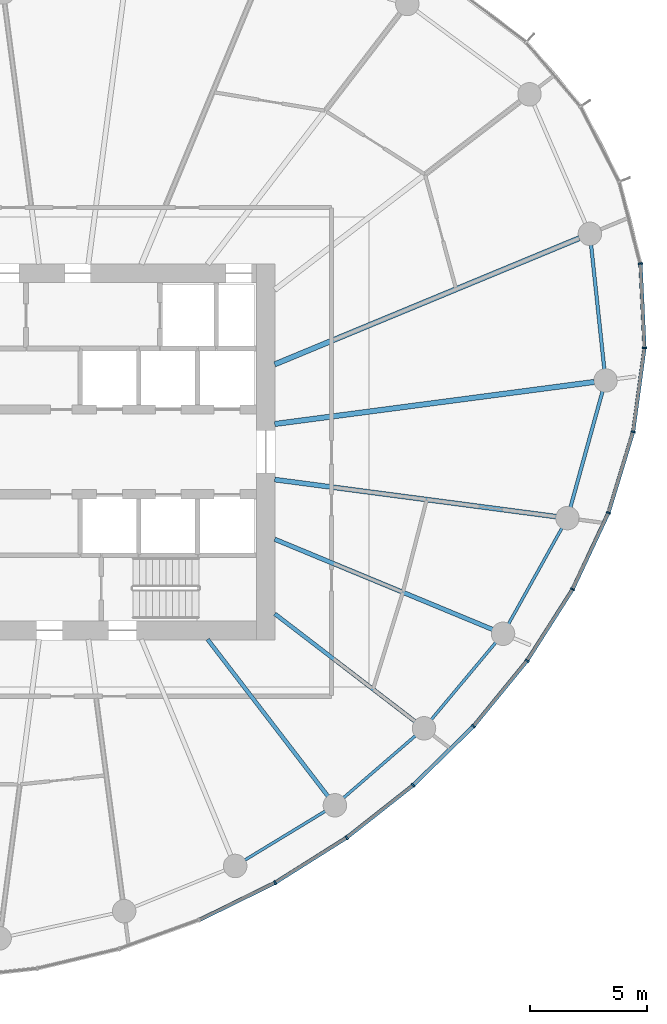
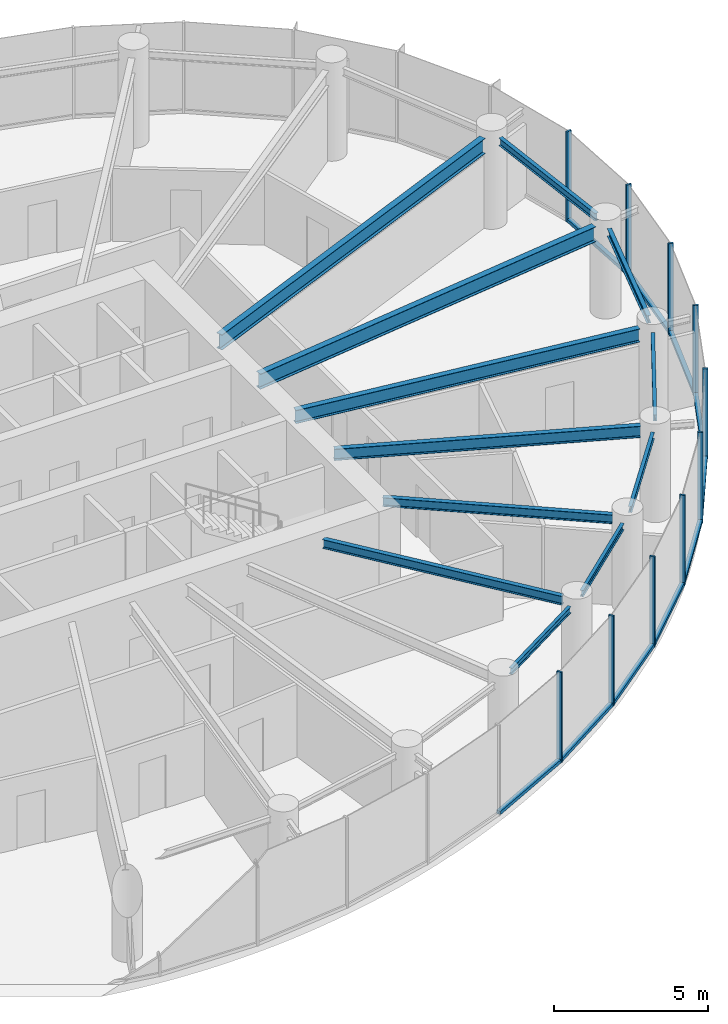
# One storey, part 4 of 14: 20 members, 12 beams, 3 elements without a shape of their own.
"""IFC4 building model written with IfcOpenShell, lengths in metres."""

import ifcopenshell
import ifcopenshell.guid

model = None  # the IFC model being written
_history = None  # IfcOwnerHistory: only IFC2X3 demands one
_inside = {}  # id of a spatial element -> (the spatial element, [elements in it])
_under = {}  # id of a project, library or spatial element -> (it, [spatial elements below it])
_declared = {}  # id of a project -> (the project, [libraries it declares])
_typed = {}  # id of a type object -> (the type object, [elements of that type])
_made_of = {}  # id of a material, layer set ... -> (it, [elements and type objects made of it])


def new_model(schema):
    """Start an empty IFC model of exactly this schema.

    Asked for "IFC4X3", IfcOpenShell would pick the latest addendum, in which some entities
    have other attributes; the version numbers below select the first issue.
    IFC2X3 requires an IfcOwnerHistory on every rooted entity: one is made here for all.
    """
    global model, _history
    if schema == "IFC4X3":
        model = ifcopenshell.file(schema_version=(4, 3, 0, 0))
    else:
        model = ifcopenshell.file(schema=schema)
    _inside.clear()
    _under.clear()
    _declared.clear()
    _typed.clear()
    _made_of.clear()
    _history = None
    if model.schema == "IFC2X3":
        org = make("IfcOrganization", Name="unknown")
        user = make(
            "IfcPersonAndOrganization",
            ThePerson=make("IfcPerson", FamilyName="unknown"),
            TheOrganization=org,
        )
        app = make(
            "IfcApplication",
            ApplicationDeveloper=org,
            Version="unknown",
            ApplicationFullName="unknown",
            ApplicationIdentifier="unknown",
        )
        _history = make(
            "IfcOwnerHistory",
            OwningUser=user,
            OwningApplication=app,
            ChangeAction="ADDED",
            CreationDate=0,
        )
    return model


def make(cls, **values):
    """One entity of the class cls with the attributes given. An attribute that is None is left unset."""
    return model.create_entity(
        cls, **{name: value for name, value in values.items() if value is not None}
    )


def rooted(cls, **values):
    """An entity with a GlobalId (a new one), such as an element, a storey or a relation."""
    return make(cls, GlobalId=ifcopenshell.guid.new(), OwnerHistory=_history, **values)


def si_unit(unit_type, name, prefix=None):
    """IfcSIUnit, for example si_unit("LENGTHUNIT", "METRE", prefix="MILLI")."""
    return make("IfcSIUnit", UnitType=unit_type, Prefix=prefix, Name=name)


def assignment(units):
    """IfcUnitAssignment: the units of a project."""
    return None if units is None else make("IfcUnitAssignment", Units=units)


def point(xyz):
    """IfcCartesianPoint."""
    return None if xyz is None else make("IfcCartesianPoint", Coordinates=xyz)


def direction(xyz):
    """IfcDirection."""
    return None if xyz is None else make("IfcDirection", DirectionRatios=xyz)


def frame(location, z_axis=None, x_axis=None):
    """IfcAxis2Placement3D, a coordinate frame: its origin and axes. An axis left out is left unset."""
    return make(
        "IfcAxis2Placement3D",
        Location=point(location),
        Axis=direction(z_axis),
        RefDirection=direction(x_axis),
    )


def frame_2d(location, x_axis=None):
    """IfcAxis2Placement2D, a coordinate frame in the plane: its origin and x axis."""
    return make(
        "IfcAxis2Placement2D", Location=point(location), RefDirection=direction(x_axis)
    )


def origin():
    """The frame at (0, 0, 0) with its axes left unset."""
    return frame((0.0, 0.0, 0.0))


def origin_2d():
    """The frame at (0, 0) in the plane with its x axis left unset."""
    return frame_2d((0.0, 0.0))


def place(relative_to, where):
    """IfcLocalPlacement: puts the frame where relative to a parent placement (None: the world)."""
    return make(
        "IfcLocalPlacement", PlacementRelTo=relative_to, RelativePlacement=where
    )


def context(
    kind, dimensions, precision=None, world=None, true_north=None, identifier=None
):
    """IfcGeometricRepresentationContext, for example the 3D "Model" context."""
    return make(
        "IfcGeometricRepresentationContext",
        ContextIdentifier=identifier,
        ContextType=kind,
        CoordinateSpaceDimension=dimensions,
        Precision=precision,
        WorldCoordinateSystem=world,
        TrueNorth=true_north,
    )


def subcontext(parent, identifier, kind, view, scale=None):
    """IfcGeometricRepresentationSubContext, for example "Body" below "Model"."""
    return make(
        "IfcGeometricRepresentationSubContext",
        ContextIdentifier=identifier,
        ContextType=kind,
        ParentContext=parent,
        TargetScale=scale,
        TargetView=view,
    )


def project(units=None, contexts=None):
    """IfcProject with its units and contexts."""
    return rooted(
        "IfcProject",
        Name="project",
        RepresentationContexts=contexts,
        UnitsInContext=assignment(units),
    )


def spatial(cls, under=None, at=None, **own):
    """A site, building, storey or space (cls), placed at a placement, below another one or the project."""
    s = rooted(cls, ObjectPlacement=at, **own)
    if under is not None:
        _under.setdefault(under.id(), (under, []))[1].append(s)
    return s


def profile(cls, at=None, kind="AREA", **sizes):
    """A parametric profile (cls). Its sizes go by their IFC names, for example OverallWidth=200.0."""
    return make(cls, ProfileType=kind, Position=at, **sizes)


def rectangle(**sizes):
    """IfcRectangleProfileDef."""
    return profile("IfcRectangleProfileDef", **sizes)


def i_section(**sizes):
    """IfcIShapeProfileDef."""
    return profile("IfcIShapeProfileDef", **sizes)


def extrude(swept, where, along, depth):
    """IfcExtrudedAreaSolid: the profile swept, set in the frame where, extruded along a direction by depth."""
    return make(
        "IfcExtrudedAreaSolid",
        SweptArea=swept,
        Position=where,
        ExtrudedDirection=direction(along),
        Depth=depth,
    )


def shape(context_of_items, identifier, shape_type, items):
    """IfcShapeRepresentation: the items that make up one representation, for example the "Body"."""
    return make(
        "IfcShapeRepresentation",
        ContextOfItems=context_of_items,
        RepresentationIdentifier=identifier,
        RepresentationType=shape_type,
        Items=items,
    )


def source(mapping_origin, context_of_items, identifier, shape_type, items):
    """IfcRepresentationMap: a shape defined once, which mapped items show again and again."""
    return make(
        "IfcRepresentationMap",
        MappingOrigin=mapping_origin,
        MappedRepresentation=shape(context_of_items, identifier, shape_type, items),
    )


def transform(
    local_origin,
    x_axis=None,
    y_axis=None,
    z_axis=None,
    scale=None,
    scale2=None,
    scale3=None,
    uniform=True,
):
    """IfcCartesianTransformationOperator3D, or its non-uniform kind. x_axis, y_axis, z_axis: its Axis1, 2, 3."""
    if uniform:
        return make(
            "IfcCartesianTransformationOperator3D",
            Axis1=direction(x_axis),
            Axis2=direction(y_axis),
            LocalOrigin=point(local_origin),
            Scale=scale,
            Axis3=direction(z_axis),
        )
    return make(
        "IfcCartesianTransformationOperator3DnonUniform",
        Axis1=direction(x_axis),
        Axis2=direction(y_axis),
        LocalOrigin=point(local_origin),
        Scale=scale,
        Axis3=direction(z_axis),
        Scale2=scale2,
        Scale3=scale3,
    )


def mapped(mapping_source, mapping_target):
    """IfcMappedItem: shows the shape of a source again, moved by a transform."""
    return make(
        "IfcMappedItem", MappingSource=mapping_source, MappingTarget=mapping_target
    )


def material(Name=None, Category=None):
    """IfcMaterial."""
    return make("IfcMaterial", Name=Name, Category=Category)


def layer(
    of_material, thickness, ventilated=None, Name=None, Category=None, Priority=None
):
    """IfcMaterialLayer: one layer of a wall or slab, of a material (None: an air gap)."""
    return make(
        "IfcMaterialLayer",
        Material=of_material,
        LayerThickness=thickness,
        IsVentilated=ventilated,
        Name=Name,
        Category=Category,
        Priority=Priority,
    )


def layer_set(layers, Name=None):
    """IfcMaterialLayerSet."""
    return make("IfcMaterialLayerSet", MaterialLayers=layers, LayerSetName=Name)


def material_profile(
    of_material, cross_section, Name=None, Category=None, Priority=None
):
    """IfcMaterialProfile: a cross section and its material."""
    return make(
        "IfcMaterialProfile",
        Name=Name,
        Material=of_material,
        Profile=cross_section,
        Priority=Priority,
        Category=Category,
    )


def profile_set(profiles, Name=None, composite=None):
    """IfcMaterialProfileSet."""
    return make(
        "IfcMaterialProfileSet",
        Name=Name,
        MaterialProfiles=profiles,
        CompositeProfile=composite,
    )


def made_of(thing, what):
    """Note that an element or type object is made of a material, layer set ...; save() writes the relation."""
    if what is not None:
        _made_of.setdefault(what.id(), (what, []))[1].append(thing)
    return thing


def type_object(cls, material=None, **own):
    """A type object (cls), such as IfcWallType, which elements share."""
    return made_of(rooted(cls, **own), material)


def element(
    cls,
    number,
    at=None,
    inside=None,
    cuts=None,
    type_object=None,
    material=None,
    context=None,
    identifier="Body",
    shape_type=None,
    held_by="IfcProductDefinitionShape",
    body=None,
    shapes=None,
    **own,
):
    """One element of the class cls, such as IfcWall. Its Tag is "e" and its number.

    at: its placement. inside: the storey or other place that contains it. cuts: it is an
    opening in that element (IfcRelVoidsElement). A single representation is given by context,
    identifier, shape_type and body (its items); several are given by shapes. held_by: the class
    of the entity that holds the representations. save() writes the other relations.
    """
    e = rooted(cls, Tag="e%d" % number, ObjectPlacement=at, **own)
    if body is not None:
        shapes = [shape(context, identifier, shape_type, body)]
    if shapes is not None:
        e.Representation = make(held_by, Representations=shapes)
    if inside is not None:
        _inside.setdefault(inside.id(), (inside, []))[1].append(e)
    if cuts is not None:
        rooted(
            "IfcRelVoidsElement", RelatingBuildingElement=cuts, RelatedOpeningElement=e
        )
    if type_object is not None:
        _typed.setdefault(type_object.id(), (type_object, []))[1].append(e)
    return made_of(e, material)


def aggregate(whole, parts):
    """IfcRelAggregates: a whole, such as a stair, and the parts it consists of."""
    return rooted("IfcRelAggregates", RelatingObject=whole, RelatedObjects=parts)


def save(model, path):
    """Write the relations noted so far, then the file.

    IfcRelAggregates (storeys below a building ...), IfcRelContainedInSpatialStructure (elements
    in a storey), IfcRelDefinesByType, IfcRelAssociatesMaterial and IfcRelDeclares: one each for
    every whole, place, type object, material and project.
    """
    for whole, parts in _under.values():
        aggregate(whole, parts)
    for where, things in _inside.values():
        rooted(
            "IfcRelContainedInSpatialStructure",
            RelatedElements=things,
            RelatingStructure=where,
        )
    for kind, things in _typed.values():
        rooted("IfcRelDefinesByType", RelatedObjects=things, RelatingType=kind)
    for what, things in _made_of.values():
        rooted("IfcRelAssociatesMaterial", RelatedObjects=things, RelatingMaterial=what)
    for by, libraries in _declared.values():
        rooted("IfcRelDeclares", RelatingContext=by, RelatedDefinitions=libraries)
    model.write(path)


model = new_model("IFC4")

# Units and contexts
model_context = context("Model", 3, precision=1e-05, world=origin(), true_north=direction((0.0, 1.0)))
body_context = subcontext(model_context, "Body", "Model", "MODEL_VIEW")
ifc_project = project(units=[si_unit("LENGTHUNIT", "METRE"), si_unit("AREAUNIT", "SQUARE_METRE"), si_unit("VOLUMEUNIT", "CUBIC_METRE"), si_unit("PLANEANGLEUNIT", "RADIAN"), si_unit("MASSUNIT", "GRAM", prefix="KILO")], contexts=[model_context])

# Site, building, storey
site_placement = place(None, origin())
site = spatial("IfcSite", under=ifc_project, at=site_placement, CompositionType="ELEMENT")
building_placement = place(site_placement, origin())
building = spatial("IfcBuilding", under=site, at=building_placement, Name="Spindrift Exchange Tower", CompositionType="ELEMENT")
storey_placement = place(building_placement, frame((0.0, 0.0, 140.89990234375)))
storey = spatial("IfcBuildingStorey", under=building, at=storey_placement, Name="L33", CompositionType="ELEMENT", Elevation=140.89990234375)

# Beams
ifc_material_1 = material(Name="Steel Grade 300", Category="steel")
ifc_material_profile_1 = material_profile(ifc_material_1, i_section(OverallWidth=0.14892578125, OverallDepth=0.298095703125, WebThickness=0.005615234375, FlangeThickness=0.008056640625, FilletRadius=0.012939453125, at=origin_2d()), Name="310UB32.0")
ifc_profile_set_1 = profile_set([ifc_material_profile_1], Name="Steel Grade 300")
beam_type_1 = type_object("IfcBeamType", Name="Edge Beam 310UB32.0 Steel Grade 300", PredefinedType="SPANDREL", material=ifc_profile_set_1)
shared_shape_1 = source(origin(), body_context, "Body", "SweptSolid", [
    extrude(i_section(OverallWidth=0.14892578125, OverallDepth=0.298095703125, WebThickness=0.005615234375, FlangeThickness=0.008056640625, FilletRadius=0.012939453125, at=origin_2d()), origin(), (0.0, 0.0, 1.0), 5.31640625),
])
beam_1_placement = place(storey_placement, frame((75.010986328125, 51.513427734375, 3.43115234375), z_axis=(-0.10598990948, 0.994367205357, 0.0), x_axis=(-0.994367205357, -0.10598990948, 0.0)))
element("IfcBeam", 1, at=beam_1_placement, inside=storey, type_object=beam_type_1, Name="L33 edge beam E01", PredefinedType="SPANDREL", context=body_context, shape_type="MappedRepresentation", body=[
    mapped(shared_shape_1, transform((0.0, 0.0, 0.0), scale=1.0)),
])
ifc_material_profile_2 = material_profile(ifc_material_1, i_section(OverallWidth=0.1240234375, OverallDepth=0.248046875, WebThickness=0.0048828125, FlangeThickness=0.008056640625, FilletRadius=0.011962890625, at=origin_2d()), Name="250UB25.7")
ifc_profile_set_2 = profile_set([ifc_material_profile_2], Name="Steel Grade 300")
beam_type_2 = type_object("IfcBeamType", Name="Edge Beam 250UB25.7 Steel Grade 300", PredefinedType="SPANDREL", material=ifc_profile_set_2)
shared_shape_2 = source(origin(), body_context, "Body", "SweptSolid", [
    extrude(i_section(OverallWidth=0.1240234375, OverallDepth=0.248046875, WebThickness=0.0048828125, FlangeThickness=0.008056640625, FilletRadius=0.011962890625, at=origin_2d()), origin(), (0.0, 0.0, 1.0), 4.00634765625),
])
beam_2_placement = place(storey_placement, frame((59.7109375, 30.623779296875, 3.4560546875), z_axis=(0.854331495603, 0.519728482596, 0.0), x_axis=(-0.519728482596, 0.854331495603, 0.0)))
element("IfcBeam", 2, at=beam_2_placement, inside=storey, type_object=beam_type_2, Name="L33 edge beam E20", PredefinedType="SPANDREL", context=body_context, shape_type="MappedRepresentation", body=[
    mapped(shared_shape_2, transform((0.0, 0.0, 0.0), scale=1.0)),
])
shared_shape_3 = source(origin(), body_context, "Body", "SweptSolid", [
    extrude(i_section(OverallWidth=0.1240234375, OverallDepth=0.248046875, WebThickness=0.0048828125, FlangeThickness=0.008056640625, FilletRadius=0.011962890625, at=origin_2d()), origin(), (0.0, 0.0, 1.0), 4.052001953125),
])
beam_3_placement = place(storey_placement, frame((63.906982421875, 33.269287109375, 3.4560546875), z_axis=(0.756715968535, 0.65374379, 0.0), x_axis=(-0.65374379, 0.756715968535, 0.0)))
element("IfcBeam", 3, at=beam_3_placement, inside=storey, type_object=beam_type_2, Name="L33 edge beam E21", PredefinedType="SPANDREL", context=body_context, shape_type="MappedRepresentation", body=[
    mapped(shared_shape_3, transform((0.0, 0.0, 0.0), scale=1.0)),
])
shared_shape_4 = source(origin(), body_context, "Body", "SweptSolid", [
    extrude(i_section(OverallWidth=0.1240234375, OverallDepth=0.248046875, WebThickness=0.0048828125, FlangeThickness=0.008056640625, FilletRadius=0.011962890625, at=origin_2d()), origin(), (0.0, 0.0, 1.0), 4.282958984375),
])
beam_4_placement = place(storey_placement, frame((67.644287109375, 36.600341796875, 3.4560546875), z_axis=(0.641400288548, 0.767206406289, 0.0), x_axis=(-0.767206406289, 0.641400288548, 0.0)))
element("IfcBeam", 4, at=beam_4_placement, inside=storey, type_object=beam_type_2, Name="L33 edge beam E22", PredefinedType="SPANDREL", context=body_context, shape_type="MappedRepresentation", body=[
    mapped(shared_shape_4, transform((0.0, 0.0, 0.0), scale=1.0)),
])
shared_shape_5 = source(origin(), body_context, "Body", "SweptSolid", [
    extrude(i_section(OverallWidth=0.1240234375, OverallDepth=0.248046875, WebThickness=0.0048828125, FlangeThickness=0.008056640625, FilletRadius=0.011962890625, at=origin_2d()), origin(), (0.0, 0.0, 1.0), 4.6748046875),
])
beam_5_placement = place(storey_placement, frame((70.932861328125, 40.673828125, 3.4560546875), z_axis=(0.486587145143, 0.873632045075, 0.0), x_axis=(-0.873632045075, 0.486587145143, 0.0)))
element("IfcBeam", 5, at=beam_5_placement, inside=storey, type_object=beam_type_2, Name="L33 edge beam E23", PredefinedType="SPANDREL", context=body_context, shape_type="MappedRepresentation", body=[
    mapped(shared_shape_5, transform((0.0, 0.0, 0.0), scale=1.0)),
])
shared_shape_6 = source(origin(), body_context, "Body", "SweptSolid", [
    extrude(i_section(OverallWidth=0.14892578125, OverallDepth=0.298095703125, WebThickness=0.005615234375, FlangeThickness=0.008056640625, FilletRadius=0.012939453125, at=origin_2d()), origin(), (0.0, 0.0, 1.0), 5.118896484375),
])
beam_6_placement = place(storey_placement, frame((73.569091796875, 45.639892578125, 3.43115234375), z_axis=(0.266654866605, 0.963792084485, 0.0), x_axis=(-0.963792084485, 0.266654866605, 0.0)))
element("IfcBeam", 6, at=beam_6_placement, inside=storey, type_object=beam_type_1, Name="L33 edge beam E24", PredefinedType="SPANDREL", context=body_context, shape_type="MappedRepresentation", body=[
    mapped(shared_shape_6, transform((0.0, 0.0, 0.0), scale=1.0)),
])
ifc_material_profile_3 = material_profile(ifc_material_1, i_section(OverallWidth=0.22802734375, OverallDepth=0.60205078125, WebThickness=0.010498046875, FlangeThickness=0.014892578125, FilletRadius=0.013916015625, at=origin_2d()), Name="610UB101")
ifc_profile_set_3 = profile_set([ifc_material_profile_3], Name="Steel Grade 300")
beam_type_3 = type_object("IfcBeamType", Name="Floor Beam 610UB101 Steel Grade 300", PredefinedType="BEAM", material=ifc_profile_set_3)
shared_shape_7 = source(origin(), body_context, "Body", "SweptSolid", [
    extrude(i_section(OverallWidth=0.22802734375, OverallDepth=0.60205078125, WebThickness=0.010498046875, FlangeThickness=0.014892578125, FilletRadius=0.013916015625, at=origin_2d()), origin(), (0.0, 0.0, 1.0), 13.723388671875),
])
beam_7_placement = place(storey_placement, frame((60.980224609375, 49.182373046875, 3.279052734375), z_axis=(0.991447148915, 0.13050881544, 0.0), x_axis=(-0.13050881544, 0.991447148915, 0.0)))
element("IfcBeam", 7, at=beam_7_placement, inside=storey, type_object=beam_type_3, Name="L33 radial beam R01A", PredefinedType="BEAM", context=body_context, shape_type="MappedRepresentation", body=[
    mapped(shared_shape_7, transform((0.0, 0.0, 0.0), scale=1.0)),
])
shared_shape_8 = source(origin(), body_context, "Body", "SweptSolid", [
    extrude(i_section(OverallWidth=0.22802734375, OverallDepth=0.60205078125, WebThickness=0.010498046875, FlangeThickness=0.014892578125, FilletRadius=0.013916015625, at=origin_2d()), origin(), (0.0, 0.0, 1.0), 14.04052734375),
])
beam_8_placement = place(storey_placement, frame((60.9814453125, 51.72021484375, 3.279052734375), z_axis=(0.923879501748, 0.382683506634, 0.0), x_axis=(-0.382683506634, 0.923879501748, 0.0)))
element("IfcBeam", 8, at=beam_8_placement, inside=storey, type_object=beam_type_3, Name="L33 radial beam R02A", PredefinedType="BEAM", context=body_context, shape_type="MappedRepresentation", body=[
    mapped(shared_shape_8, transform((0.0, 0.0, 0.0), scale=1.0)),
])
ifc_material_profile_4 = material_profile(ifc_material_1, i_section(OverallWidth=0.1708984375, OverallDepth=0.35205078125, WebThickness=0.0068359375, FlangeThickness=0.009765625, FilletRadius=0.013916015625, at=origin_2d()), Name="360UB44.7")
ifc_profile_set_4 = profile_set([ifc_material_profile_4], Name="Steel Grade 300")
beam_type_4 = type_object("IfcBeamType", Name="Floor Beam 360UB44.7 Steel Grade 300", PredefinedType="BEAM", material=ifc_profile_set_4)
shared_shape_9 = source(origin(), body_context, "Body", "SweptSolid", [
    extrude(i_section(OverallWidth=0.1708984375, OverallDepth=0.35205078125, WebThickness=0.0068359375, FlangeThickness=0.009765625, FilletRadius=0.013916015625, at=origin_2d()), origin(), (0.0, 0.0, 1.0), 8.419189453125),
])
beam_9_placement = place(storey_placement, frame((58.12646484375, 40.015869140625, 3.404052734375), z_axis=(0.608755970582, -0.79335752866, 0.0), x_axis=(0.79335752866, 0.608755970582, 0.0)))
element("IfcBeam", 9, at=beam_9_placement, inside=storey, type_object=beam_type_4, Name="L33 radial beam R21A", PredefinedType="BEAM", context=body_context, shape_type="MappedRepresentation", body=[
    mapped(shared_shape_9, transform((0.0, 0.0, 0.0), scale=1.0)),
])
shared_shape_10 = source(origin(), body_context, "Body", "SweptSolid", [
    extrude(i_section(OverallWidth=0.1708984375, OverallDepth=0.35205078125, WebThickness=0.0068359375, FlangeThickness=0.009765625, FilletRadius=0.013916015625, at=origin_2d()), origin(), (0.0, 0.0, 1.0), 7.52685546875),
])
beam_10_placement = place(storey_placement, frame((60.984130859375, 41.106201171875, 3.404052734375), z_axis=(0.793354136078, -0.608760391918, 0.0), x_axis=(0.608760391918, 0.793354136078, 0.0)))
element("IfcBeam", 10, at=beam_10_placement, inside=storey, type_object=beam_type_4, Name="L33 radial beam R22A", PredefinedType="BEAM", context=body_context, shape_type="MappedRepresentation", body=[
    mapped(shared_shape_10, transform((0.0, 0.0, 0.0), scale=1.0)),
])
ifc_material_profile_5 = material_profile(ifc_material_1, i_section(OverallWidth=0.18994140625, OverallDepth=0.4541015625, WebThickness=0.008544921875, FlangeThickness=0.0126953125, FilletRadius=0.013916015625, at=origin_2d()), Name="460UB67.1")
ifc_profile_set_5 = profile_set([ifc_material_profile_5], Name="Steel Grade 300")
beam_type_5 = type_object("IfcBeamType", Name="Floor Beam 460UB67.1 Steel Grade 300", PredefinedType="BEAM", material=ifc_profile_set_5)
shared_shape_11 = source(origin(), body_context, "Body", "SweptSolid", [
    extrude(i_section(OverallWidth=0.18994140625, OverallDepth=0.4541015625, WebThickness=0.008544921875, FlangeThickness=0.0126953125, FilletRadius=0.013916015625, at=origin_2d()), origin(), (0.0, 0.0, 1.0), 10.03857421875),
])
beam_11_placement = place(storey_placement, frame((60.9814453125, 44.27978515625, 3.35302734375), z_axis=(0.923880777638, -0.382680426349, 0.0), x_axis=(0.382680426349, 0.923880777638, 0.0)))
element("IfcBeam", 11, at=beam_11_placement, inside=storey, type_object=beam_type_5, Name="L33 radial beam R23A", PredefinedType="BEAM", context=body_context, shape_type="MappedRepresentation", body=[
    mapped(shared_shape_11, transform((0.0, 0.0, 0.0), scale=1.0)),
])
ifc_material_profile_6 = material_profile(ifc_material_1, i_section(OverallWidth=0.208984375, OverallDepth=0.528076171875, WebThickness=0.009521484375, FlangeThickness=0.01318359375, FilletRadius=0.013916015625, at=origin_2d()), Name="530UB82.0")
ifc_profile_set_6 = profile_set([ifc_material_profile_6], Name="Steel Grade 300")
beam_type_6 = type_object("IfcBeamType", Name="Floor Beam 530UB82.0 Steel Grade 300", PredefinedType="BEAM", material=ifc_profile_set_6)
shared_shape_12 = source(origin(), body_context, "Body", "SweptSolid", [
    extrude(i_section(OverallWidth=0.208984375, OverallDepth=0.528076171875, WebThickness=0.009521484375, FlangeThickness=0.01318359375, FilletRadius=0.013916015625, at=origin_2d()), origin(), (0.0, 0.0, 1.0), 12.088134765625),
])
beam_12_placement = place(storey_placement, frame((60.980224609375, 46.817626953125, 3.316162109375), z_axis=(0.991447007302, -0.130509891244, 0.0), x_axis=(0.130509891244, 0.991447007302, 0.0)))
element("IfcBeam", 12, at=beam_12_placement, inside=storey, type_object=beam_type_6, Name="L33 radial beam R24A", PredefinedType="BEAM", context=body_context, shape_type="MappedRepresentation", body=[
    mapped(shared_shape_12, transform((0.0, 0.0, 0.0), scale=1.0)),
])

# Curtain wall, member
ifc_material_2 = material(Name="Fritted laminated glass with bronze frame", Category="glass")
ifc_layer = layer(ifc_material_2, 0.179931640625)
ifc_layer_set = layer_set([ifc_layer], Name="ZONE 3 BRONZE FRITTED WALL")
curtain_wall_type = type_object("IfcCurtainWallType", Name="ZONE 3 BRONZE FRITTED WALL", PredefinedType="NOTDEFINED", material=ifc_layer_set)
curtain_wall_1_placement = place(storey_placement, origin())
curtain_wall_1 = element("IfcCurtainWall", 13, at=curtain_wall_1_placement, inside=storey, type_object=curtain_wall_type, Name="L33 Zone 3 Bronze Fritted Wall run 5", PredefinedType="NOTDEFINED")
ifc_material_3 = material(Name="Bronze anodised aluminium", Category="aluminium")
ifc_material_profile_7 = material_profile(ifc_material_3, rectangle(XDim=0.159912109375, YDim=0.1298828125, at=origin_2d()), Name="ZONE 3 BRONZE FRITTED WALL TRANSOM 160X130")
ifc_profile_set_7 = profile_set([ifc_material_profile_7], Name="Bronze anodised aluminium")
member_type_1 = type_object("IfcMemberType", Name="ZONE 3 BRONZE FRITTED WALL TRANSOM 160X130", PredefinedType="USERDEFINED", material=ifc_profile_set_7)
shared_shape_13 = source(origin(), body_context, "Body", "SweptSolid", [
    extrude(rectangle(XDim=0.159912109375, YDim=0.1298828125, at=origin_2d()), origin(), (0.0, 0.0, 1.0), 3.53076171875),
])
member_1_placement = place(storey_placement, frame((57.796875, 28.08740234375, 0.065185546875), z_axis=(0.897462613578, 0.441090531783, 0.0), x_axis=(-0.441090531783, 0.897462613578, 0.0)))
member_1 = element("IfcMember", 14, at=member_1_placement, type_object=member_type_1, Name="L33 transom CW-3.30", ObjectType="TRANSOM", PredefinedType="USERDEFINED", context=body_context, shape_type="MappedRepresentation", body=[
    mapped(shared_shape_13, transform((0.0, 0.0, 0.0), scale=1.0)),
])
aggregate(curtain_wall_1, [member_1])

# Curtain wall, members
curtain_wall_2_placement = place(storey_placement, origin())
curtain_wall_2 = element("IfcCurtainWall", 15, at=curtain_wall_2_placement, inside=storey, type_object=curtain_wall_type, Name="L33 Zone 3 Bronze Fritted Wall run 6", PredefinedType="NOTDEFINED")
member_2_placement = place(storey_placement, frame((64.071044921875, 31.601806640625, 0.065185546875), z_axis=(0.785441758405, 0.618935573508, 0.0), x_axis=(-0.618935573508, 0.785441758405, 0.0)))
member_2 = element("IfcMember", 16, at=member_2_placement, type_object=member_type_1, Name="L33 transom CW-3.32", ObjectType="TRANSOM", PredefinedType="USERDEFINED", context=body_context, shape_type="MappedRepresentation", body=[
    mapped(shared_shape_13, transform((0.0, 0.0, 0.0), scale=1.0)),
])
shared_shape_14 = source(origin(), body_context, "Body", "SweptSolid", [
    extrude(rectangle(XDim=0.159912109375, YDim=0.1298828125, at=origin_2d()), origin(), (0.0, 0.0, 1.0), 3.531005859375),
])
member_3_placement = place(storey_placement, frame((66.896728515625, 33.833251953125, 0.065185546875), z_axis=(0.715013581589, 0.699110562174, 0.0), x_axis=(-0.699110562174, 0.715013581589, 0.0)))
member_3 = element("IfcMember", 17, at=member_3_placement, type_object=member_type_1, Name="L33 transom CW-3.33", ObjectType="TRANSOM", PredefinedType="USERDEFINED", context=body_context, shape_type="MappedRepresentation", body=[
    mapped(shared_shape_14, transform((0.0, 0.0, 0.0), scale=1.0)),
])
shared_shape_15 = source(origin(), body_context, "Body", "SweptSolid", [
    extrude(rectangle(XDim=0.159912109375, YDim=0.1298828125, at=origin_2d()), origin(), (0.0, 0.0, 1.0), 3.5302734375),
])
member_4_placement = place(storey_placement, frame((69.468505859375, 36.353515625, 0.065185546875), z_axis=(0.633041945843, 0.774117494185, 0.0), x_axis=(-0.774117494185, 0.633041945843, 0.0)))
member_4 = element("IfcMember", 18, at=member_4_placement, type_object=member_type_1, Name="L33 transom CW-3.34", ObjectType="TRANSOM", PredefinedType="USERDEFINED", context=body_context, shape_type="MappedRepresentation", body=[
    mapped(shared_shape_15, transform((0.0, 0.0, 0.0), scale=1.0)),
])
shared_shape_16 = source(origin(), body_context, "Body", "SweptSolid", [
    extrude(rectangle(XDim=0.159912109375, YDim=0.1298828125, at=origin_2d()), origin(), (0.0, 0.0, 1.0), 3.530517578125),
])
member_5_placement = place(storey_placement, frame((71.744384765625, 39.14306640625, 0.065185546875), z_axis=(0.537184206175, 0.843464954006, 0.0), x_axis=(-0.843464954006, 0.537184206175, 0.0)))
member_5 = element("IfcMember", 19, at=member_5_placement, type_object=member_type_1, Name="L33 transom CW-3.35", ObjectType="TRANSOM", PredefinedType="USERDEFINED", context=body_context, shape_type="MappedRepresentation", body=[
    mapped(shared_shape_16, transform((0.0, 0.0, 0.0), scale=1.0)),
])
ifc_material_profile_8 = material_profile(ifc_material_3, rectangle(XDim=0.070068359375, YDim=0.179931640625, at=origin_2d()), Name="ZONE 3 BRONZE FRITTED WALL MULLION 70X180")
ifc_profile_set_8 = profile_set([ifc_material_profile_8], Name="Bronze anodised aluminium")
member_type_2 = type_object("IfcMemberType", Name="ZONE 3 BRONZE FRITTED WALL MULLION 70X180", PredefinedType="MULLION", material=ifc_profile_set_8)
shared_shape_17 = source(origin(), body_context, "Body", "SweptSolid", [
    extrude(rectangle(XDim=0.070068359375, YDim=0.179931640625, at=origin_2d()), origin(), (0.0, 0.0, 1.0), 3.580078125),
])
member_6_placement = place(storey_placement, frame((60.9970703125, 29.66015625, 0.0), z_axis=(0.0, 0.0, 1.0), x_axis=(0.872949718543, 0.487810197614, 0.0)))
member_6 = element("IfcMember", 20, at=member_6_placement, type_object=member_type_2, Name="L33 mullion CW-3.31", PredefinedType="MULLION", context=body_context, shape_type="MappedRepresentation", body=[
    mapped(shared_shape_17, transform((0.0, 0.0, 0.0), scale=1.0)),
])
member_7_placement = place(storey_placement, frame((64.04345703125, 31.580078125, 0.0), z_axis=(0.0, 0.0, 1.0), x_axis=(0.816841172004, 0.576862635051, 0.0)))
member_7 = element("IfcMember", 21, at=member_7_placement, type_object=member_type_2, Name="L33 mullion CW-3.32", PredefinedType="MULLION", context=body_context, shape_type="MappedRepresentation", body=[
    mapped(shared_shape_17, transform((0.0, 0.0, 0.0), scale=1.0)),
])
member_8_placement = place(storey_placement, frame((66.87158203125, 33.808837890625, 0.0), z_axis=(0.0, 0.0, 1.0), x_axis=(0.751283523222, 0.659979596454, 0.0)))
member_8 = element("IfcMember", 22, at=member_8_placement, type_object=member_type_2, Name="L33 mullion CW-3.33", PredefinedType="MULLION", context=body_context, shape_type="MappedRepresentation", body=[
    mapped(shared_shape_17, transform((0.0, 0.0, 0.0), scale=1.0)),
])
member_9_placement = place(storey_placement, frame((69.4462890625, 36.326416015625, 0.0), z_axis=(0.0, 0.0, 1.0), x_axis=(0.675047180666, 0.737774561688, 0.0)))
member_9 = element("IfcMember", 23, at=member_9_placement, type_object=member_type_2, Name="L33 mullion CW-3.34", PredefinedType="MULLION", context=body_context, shape_type="MappedRepresentation", body=[
    mapped(shared_shape_17, transform((0.0, 0.0, 0.0), scale=1.0)),
])
member_10_placement = place(storey_placement, frame((71.7255859375, 39.113525390625, 0.0), z_axis=(0.0, 0.0, 1.0), x_axis=(0.586136076144, 0.810212626563, 0.0)))
member_10 = element("IfcMember", 24, at=member_10_placement, type_object=member_type_2, Name="L33 mullion CW-3.35", PredefinedType="MULLION", context=body_context, shape_type="MappedRepresentation", body=[
    mapped(shared_shape_17, transform((0.0, 0.0, 0.0), scale=1.0)),
])
member_11_placement = place(storey_placement, frame((73.65966796875, 42.150390625, 0.0), z_axis=(0.0, 0.0, 1.0), x_axis=(0.481844935106, 0.876256502693, 0.0)))
member_11 = element("IfcMember", 25, at=member_11_placement, type_object=member_type_2, Name="L33 mullion CW-3.36", PredefinedType="MULLION", context=body_context, shape_type="MappedRepresentation", body=[
    mapped(shared_shape_17, transform((0.0, 0.0, 0.0), scale=1.0)),
])

curtain_wall_3_placement = place(storey_placement, origin())
curtain_wall_3 = element("IfcCurtainWall", 26, at=curtain_wall_3_placement, inside=storey, type_object=curtain_wall_type, Name="L33 Zone 3 Bronze Fritted Wall run 7", PredefinedType="NOTDEFINED")
member_12_placement = place(storey_placement, frame((75.187744140625, 45.40966796875, 0.0), z_axis=(0.0, 0.0, 1.0), x_axis=(0.358780233928, 0.933422060883, 0.0)))
member_12 = element("IfcMember", 27, at=member_12_placement, type_object=member_type_2, Name="L33 mullion CW-3.37", PredefinedType="MULLION", context=body_context, shape_type="MappedRepresentation", body=[
    mapped(shared_shape_17, transform((0.0, 0.0, 0.0), scale=1.0)),
])
member_13_placement = place(storey_placement, frame((76.23583984375, 48.852783203125, 0.0), z_axis=(0.0, 0.0, 1.0), x_axis=(0.213399705176, 0.976964976768, 0.0)))
member_13 = element("IfcMember", 28, at=member_13_placement, type_object=member_type_2, Name="L33 mullion CW-3.38", PredefinedType="MULLION", context=body_context, shape_type="MappedRepresentation", body=[
    mapped(shared_shape_17, transform((0.0, 0.0, 0.0), scale=1.0)),
])
member_14_placement = place(storey_placement, frame((76.71875, 52.41845703125, 0.0), z_axis=(0.0, 0.0, 1.0), x_axis=(0.043402734884, 0.999057657297, 0.0)))
member_14 = element("IfcMember", 29, at=member_14_placement, type_object=member_type_2, Name="L33 mullion CW-3.39", PredefinedType="MULLION", context=body_context, shape_type="MappedRepresentation", body=[
    mapped(shared_shape_17, transform((0.0, 0.0, 0.0), scale=1.0)),
])
member_15_placement = place(storey_placement, frame((76.547119140625, 56.01123046875, 0.0), z_axis=(0.0, 0.0, 1.0), x_axis=(-0.149393266436, 0.988777857733, 0.0)))
member_15 = element("IfcMember", 30, at=member_15_placement, type_object=member_type_2, Name="L33 mullion CW-3.40", PredefinedType="MULLION", context=body_context, shape_type="MappedRepresentation", body=[
    mapped(shared_shape_17, transform((0.0, 0.0, 0.0), scale=1.0)),
])
shared_shape_18 = source(origin(), body_context, "Body", "SweptSolid", [
    extrude(rectangle(XDim=0.159912109375, YDim=0.1298828125, at=origin_2d()), origin(), (0.0, 0.0, 1.0), 3.5283203125),
])
member_16_placement = place(storey_placement, frame((76.240478515625, 48.887451171875, 0.065185546875), z_axis=(0.134239295664, 0.990948944951, 0.0), x_axis=(-0.990948944951, 0.134239295664, 0.0)))
member_16 = element("IfcMember", 31, at=member_16_placement, type_object=member_type_1, Name="L33 transom CW-3.38", ObjectType="TRANSOM", PredefinedType="USERDEFINED", context=body_context, shape_type="MappedRepresentation", body=[
    mapped(shared_shape_18, transform((0.0, 0.0, 0.0), scale=1.0)),
])

# Member
shared_shape_19 = source(origin(), body_context, "Body", "SweptSolid", [
    extrude(rectangle(XDim=0.159912109375, YDim=0.1298828125, at=origin_2d()), origin(), (0.0, 0.0, 1.0), 3.53125),
])
member_17_placement = place(storey_placement, frame((61.026611328125, 29.6787109375, 0.065185546875), z_axis=(0.845987978798, 0.533201968984, 0.0), x_axis=(-0.533201968984, 0.845987978798, 0.0)))
member_17 = element("IfcMember", 32, at=member_17_placement, type_object=member_type_1, Name="L33 transom CW-3.31", ObjectType="TRANSOM", PredefinedType="USERDEFINED", context=body_context, shape_type="MappedRepresentation", body=[
    mapped(shared_shape_19, transform((0.0, 0.0, 0.0), scale=1.0)),
])

shared_shape_20 = source(origin(), body_context, "Body", "SweptSolid", [
    extrude(rectangle(XDim=0.159912109375, YDim=0.1298828125, at=origin_2d()), origin(), (0.0, 0.0, 1.0), 3.52978515625),
])
member_18_placement = place(storey_placement, frame((73.674560546875, 42.181884765625, 0.065185546875), z_axis=(0.424467544882, 0.905443153015, 0.0), x_axis=(-0.905443153015, 0.424467544882, 0.0)))
member_18 = element("IfcMember", 33, at=member_18_placement, type_object=member_type_1, Name="L33 transom CW-3.36", ObjectType="TRANSOM", PredefinedType="USERDEFINED", context=body_context, shape_type="MappedRepresentation", body=[
    mapped(shared_shape_20, transform((0.0, 0.0, 0.0), scale=1.0)),
])

aggregate(curtain_wall_2, [member_6, member_17, member_7, member_2, member_8, member_3, member_9, member_4, member_10, member_5, member_11, member_18])

shared_shape_21 = source(origin(), body_context, "Body", "SweptSolid", [
    extrude(rectangle(XDim=0.159912109375, YDim=0.1298828125, at=origin_2d()), origin(), (0.0, 0.0, 1.0), 3.529052734375),
])
member_19_placement = place(storey_placement, frame((75.197998046875, 45.443115234375, 0.065185546875), z_axis=(0.291172626886, 0.956670529154, 0.0), x_axis=(-0.956670529154, 0.291172626886, 0.0)))
member_19 = element("IfcMember", 34, at=member_19_placement, type_object=member_type_1, Name="L33 transom CW-3.37", ObjectType="TRANSOM", PredefinedType="USERDEFINED", context=body_context, shape_type="MappedRepresentation", body=[
    mapped(shared_shape_21, transform((0.0, 0.0, 0.0), scale=1.0)),
])

shared_shape_22 = source(origin(), body_context, "Body", "SweptSolid", [
    extrude(rectangle(XDim=0.159912109375, YDim=0.1298828125, at=origin_2d()), origin(), (0.0, 0.0, 1.0), 3.52685546875),
])
member_20_placement = place(storey_placement, frame((76.717041015625, 52.453369140625, 0.065185546875), z_axis=(-0.047762475259, 0.998858721721, 0.0), x_axis=(-0.998858721721, -0.047762475259, 0.0)))
member_20 = element("IfcMember", 35, at=member_20_placement, type_object=member_type_1, Name="L33 transom CW-3.39", ObjectType="TRANSOM", PredefinedType="USERDEFINED", context=body_context, shape_type="MappedRepresentation", body=[
    mapped(shared_shape_22, transform((0.0, 0.0, 0.0), scale=1.0)),
])

aggregate(curtain_wall_3, [member_12, member_19, member_13, member_16, member_14, member_20, member_15])

save(model, "model.ifc")
